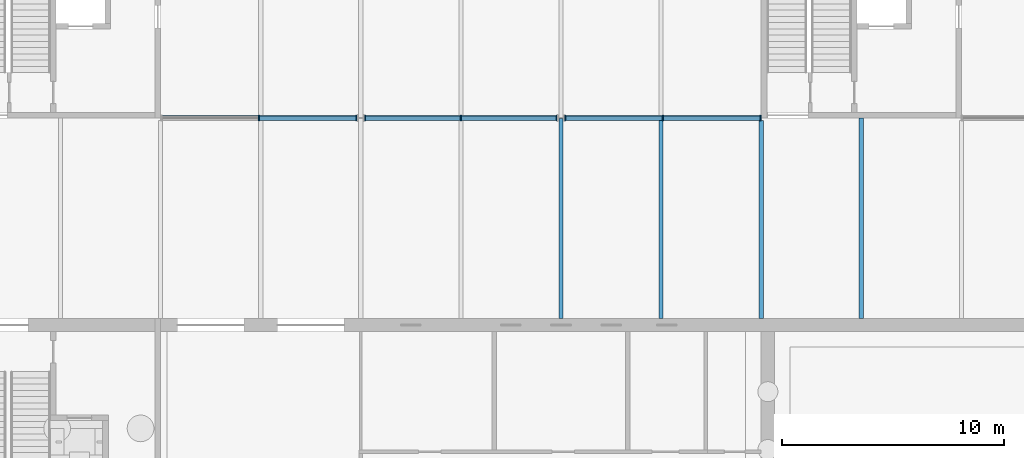
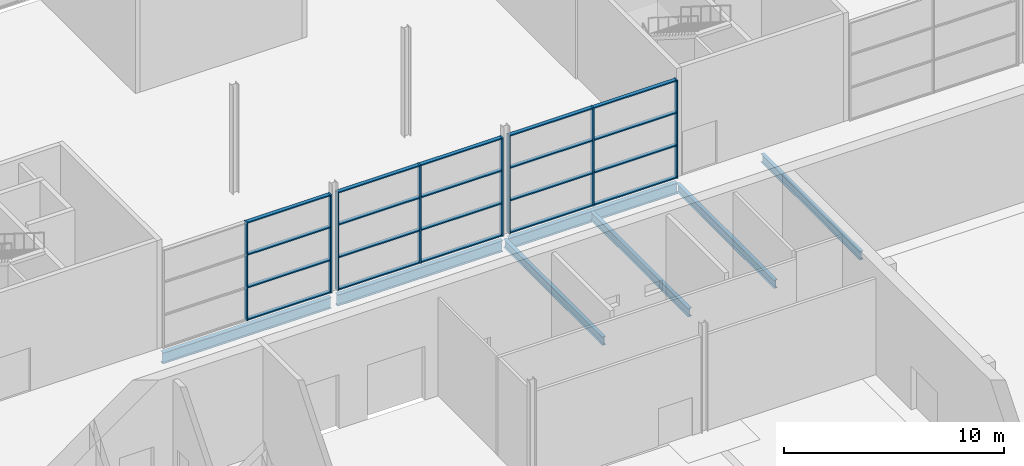
# One storey, part 45 of 97: 28 members, 7 beams, 3 elements without a shape of their own.
"""IFC4 building model written with IfcOpenShell, lengths in metres."""

from ifc_helpers import new_model, si_unit, direction, frame, origin, origin_2d, place, context, subcontext, project, spatial, rectangle, i_section, extrude, material, layer, layer_set, material_profile, profile_set, type_object, element, aggregate, save


model = new_model("IFC4")

# Units and contexts
model_context = context("Model", 3, precision=1e-05, world=origin(), true_north=direction((0.0, 1.0)))
body_context = subcontext(model_context, "Body", "Model", "MODEL_VIEW")
ifc_project = project(units=[si_unit("LENGTHUNIT", "METRE"), si_unit("AREAUNIT", "SQUARE_METRE"), si_unit("VOLUMEUNIT", "CUBIC_METRE"), si_unit("PLANEANGLEUNIT", "RADIAN"), si_unit("MASSUNIT", "GRAM", prefix="KILO")], contexts=[model_context])

# Site, building, storey
site_placement = place(None, origin())
site = spatial("IfcSite", under=ifc_project, at=site_placement, CompositionType="ELEMENT")
building_placement = place(site_placement, origin())
building = spatial("IfcBuilding", under=site, at=building_placement, Name="Corbel Yard City Hall", CompositionType="ELEMENT")
storey_placement = place(building_placement, origin())
storey = spatial("IfcBuildingStorey", under=building, at=storey_placement, Name="L00", CompositionType="ELEMENT", Elevation=0.0)

# Beams
ifc_material_1 = material(Name="Steel Grade 300 (300 MPa yield)", Category="steel")
ifc_material_profile_1 = material_profile(ifc_material_1, i_section(OverallWidth=0.19091796875, OverallDepth=0.4599609375, WebThickness=0.010009765625, FlangeThickness=0.01611328125, at=origin_2d()), Name="460UB82.1")
ifc_profile_set_1 = profile_set([ifc_material_profile_1], Name="Steel Grade 300 (300 MPa yield)")
beam_type_1 = type_object("IfcBeamType", Name="Beam 460UB82.1", PredefinedType="BEAM", material=ifc_profile_set_1)
beam_1_placement = place(storey_placement, frame((108.0, 81.0, -0.47998046875), z_axis=(0.0, 1.0, 0.0), x_axis=(-1.0, 0.0, 0.0)))
element("IfcBeam", 1, at=beam_1_placement, inside=storey, type_object=beam_type_1, Name="Beam 460UB82.1 SB2 L00deck", PredefinedType="BEAM", context=body_context, shape_type="SweptSolid", body=[
    extrude(i_section(OverallWidth=0.19091796875, OverallDepth=0.4599609375, WebThickness=0.010009765625, FlangeThickness=0.01611328125, at=origin_2d()), origin(), (0.0, 0.0, 1.0), 8.9921875),
])
beam_2_placement = place(storey_placement, frame((117.0, 81.0, -0.47998046875), z_axis=(0.0, 1.0, 0.0), x_axis=(-1.0, 0.0, 0.0)))
element("IfcBeam", 2, at=beam_2_placement, inside=storey, type_object=beam_type_1, Name="Beam 460UB82.1 SB2 L00deck", PredefinedType="BEAM", context=body_context, shape_type="SweptSolid", body=[
    extrude(i_section(OverallWidth=0.19091796875, OverallDepth=0.4599609375, WebThickness=0.010009765625, FlangeThickness=0.01611328125, at=origin_2d()), origin(), (0.0, 0.0, 1.0), 8.885498046875),
])
ifc_material_profile_2 = material_profile(ifc_material_1, i_section(OverallWidth=0.22900390625, OverallDepth=0.612060546875, WebThickness=0.011962890625, FlangeThickness=0.01953125, at=origin_2d()), Name="610UB125")
ifc_profile_set_2 = profile_set([ifc_material_profile_2], Name="Steel Grade 300 (300 MPa yield)")
beam_type_2 = type_object("IfcBeamType", Name="Girder 610UB125", PredefinedType="BEAM", material=ifc_profile_set_2)
beam_3_placement = place(storey_placement, frame((90.0, 90.0, -0.555908203125), z_axis=(1.0, 0.0, 0.0), x_axis=(0.0, 1.0, 0.0)))
element("IfcBeam", 3, at=beam_3_placement, inside=storey, type_object=beam_type_2, Name="Girder 610UB125 GB1 L00deck", PredefinedType="BEAM", context=body_context, shape_type="SweptSolid", body=[
    extrude(i_section(OverallWidth=0.22900390625, OverallDepth=0.612060546875, WebThickness=0.011962890625, FlangeThickness=0.01953125, at=origin_2d()), origin(), (0.0, 0.0, 1.0), 8.83642578125),
])
beam_4_placement = place(storey_placement, frame((99.16357421875, 90.0, -0.555908203125), z_axis=(1.0, 0.0, 0.0), x_axis=(0.0, 1.0, 0.0)))
element("IfcBeam", 4, at=beam_4_placement, inside=storey, type_object=beam_type_2, Name="Girder 610UB125 GB1 L00deck", PredefinedType="BEAM", context=body_context, shape_type="SweptSolid", body=[
    extrude(i_section(OverallWidth=0.22900390625, OverallDepth=0.612060546875, WebThickness=0.011962890625, FlangeThickness=0.01953125, at=origin_2d()), origin(), (0.0, 0.0, 1.0), 8.6728515625),
])
beam_5_placement = place(storey_placement, frame((108.16357421875, 90.0, -0.555908203125), z_axis=(1.0, 0.0, 0.0), x_axis=(0.0, 1.0, 0.0)))
element("IfcBeam", 5, at=beam_5_placement, inside=storey, type_object=beam_type_2, Name="Girder 610UB125 GB1 L00deck", PredefinedType="BEAM", context=body_context, shape_type="SweptSolid", body=[
    extrude(i_section(OverallWidth=0.22900390625, OverallDepth=0.612060546875, WebThickness=0.011962890625, FlangeThickness=0.01953125, at=origin_2d()), origin(), (0.0, 0.0, 1.0), 8.83642578125),
])

# Curtain wall, members
ifc_material_2 = material(Name="Aluminium extrusion", Category="aluminium")
ifc_layer = layer(ifc_material_2, 0.25)
ifc_layer_set = layer_set([ifc_layer], Name="Aluminium extrusion")
curtain_wall_type = type_object("IfcCurtainWallType", Name="CW4", PredefinedType="USERDEFINED", material=ifc_layer_set)
curtain_wall_1_placement = place(storey_placement, origin())
curtain_wall_1 = element("IfcCurtainWall", 6, at=curtain_wall_1_placement, inside=storey, type_object=curtain_wall_type, Name="Curtain wall CW4 L00", ObjectType="CURTAIN WALL", PredefinedType="USERDEFINED")
ifc_material_profile_3 = material_profile(ifc_material_2, rectangle(XDim=0.25, YDim=0.06494140625, at=origin_2d()), Name="250x65")
ifc_profile_set_3 = profile_set([ifc_material_profile_3], Name="Aluminium extrusion")
member_type_1 = type_object("IfcMemberType", Name="ML4", PredefinedType="MULLION", material=ifc_profile_set_3)
member_1_placement = place(storey_placement, frame((94.421142578125, 90.0, 0.0), z_axis=(0.0, 0.0, 1.0), x_axis=(0.0, 1.0, 0.0)))
member_1 = element("IfcMember", 7, at=member_1_placement, type_object=member_type_1, Name="CW4 mullion 2", PredefinedType="MULLION", context=body_context, shape_type="SweptSolid", body=[
    extrude(rectangle(XDim=0.25, YDim=0.06494140625, at=origin_2d()), origin(), (0.0, 0.0, 1.0), 5.444091796875),
])
member_2_placement = place(storey_placement, frame((98.81005859375, 90.0, 0.0), z_axis=(0.0, 0.0, 1.0), x_axis=(0.0, 1.0, 0.0)))
member_2 = element("IfcMember", 8, at=member_2_placement, type_object=member_type_1, Name="CW4 mullion 3", PredefinedType="MULLION", context=body_context, shape_type="SweptSolid", body=[
    extrude(rectangle(XDim=0.25, YDim=0.06494140625, at=origin_2d()), origin(), (0.0, 0.0, 1.0), 5.444091796875),
])

curtain_wall_2_placement = place(storey_placement, origin())
curtain_wall_2 = element("IfcCurtainWall", 9, at=curtain_wall_2_placement, inside=storey, type_object=curtain_wall_type, Name="Curtain wall CW4 L00", ObjectType="CURTAIN WALL", PredefinedType="USERDEFINED")
member_3_placement = place(storey_placement, frame((99.18994140625, 90.0, 0.0), z_axis=(0.0, 0.0, 1.0), x_axis=(0.0, 1.0, 0.0)))
member_3 = element("IfcMember", 10, at=member_3_placement, type_object=member_type_1, Name="CW4 mullion 1", PredefinedType="MULLION", context=body_context, shape_type="SweptSolid", body=[
    extrude(rectangle(XDim=0.25, YDim=0.06494140625, at=origin_2d()), origin(), (0.0, 0.0, 1.0), 5.444091796875),
])
member_4_placement = place(storey_placement, frame((103.5, 90.0, 0.0), z_axis=(0.0, 0.0, 1.0), x_axis=(0.0, 1.0, 0.0)))
member_4 = element("IfcMember", 11, at=member_4_placement, type_object=member_type_1, Name="CW4 mullion 2", PredefinedType="MULLION", context=body_context, shape_type="SweptSolid", body=[
    extrude(rectangle(XDim=0.25, YDim=0.06494140625, at=origin_2d()), origin(), (0.0, 0.0, 1.0), 5.444091796875),
])
member_5_placement = place(storey_placement, frame((107.81005859375, 90.0, 0.0), z_axis=(0.0, 0.0, 1.0), x_axis=(0.0, 1.0, 0.0)))
member_5 = element("IfcMember", 12, at=member_5_placement, type_object=member_type_1, Name="CW4 mullion 3", PredefinedType="MULLION", context=body_context, shape_type="SweptSolid", body=[
    extrude(rectangle(XDim=0.25, YDim=0.06494140625, at=origin_2d()), origin(), (0.0, 0.0, 1.0), 5.444091796875),
])

curtain_wall_3_placement = place(storey_placement, origin())
curtain_wall_3 = element("IfcCurtainWall", 13, at=curtain_wall_3_placement, inside=storey, type_object=curtain_wall_type, Name="Curtain wall CW4 L00", ObjectType="CURTAIN WALL", PredefinedType="USERDEFINED")
member_6_placement = place(storey_placement, frame((108.18994140625, 90.0, 0.0), z_axis=(0.0, 0.0, 1.0), x_axis=(0.0, 1.0, 0.0)))
member_6 = element("IfcMember", 14, at=member_6_placement, type_object=member_type_1, Name="CW4 mullion 1", PredefinedType="MULLION", context=body_context, shape_type="SweptSolid", body=[
    extrude(rectangle(XDim=0.25, YDim=0.06494140625, at=origin_2d()), origin(), (0.0, 0.0, 1.0), 5.444091796875),
])
member_7_placement = place(storey_placement, frame((112.578857421875, 90.0, 0.0), z_axis=(0.0, 0.0, 1.0), x_axis=(0.0, 1.0, 0.0)))
member_7 = element("IfcMember", 15, at=member_7_placement, type_object=member_type_1, Name="CW4 mullion 2", PredefinedType="MULLION", context=body_context, shape_type="SweptSolid", body=[
    extrude(rectangle(XDim=0.25, YDim=0.06494140625, at=origin_2d()), origin(), (0.0, 0.0, 1.0), 5.444091796875),
])
member_8_placement = place(storey_placement, frame((116.967529296875, 90.0, 0.0), z_axis=(0.0, 0.0, 1.0), x_axis=(0.0, 1.0, 0.0)))
member_8 = element("IfcMember", 16, at=member_8_placement, type_object=member_type_1, Name="CW4 mullion 3", PredefinedType="MULLION", context=body_context, shape_type="SweptSolid", body=[
    extrude(rectangle(XDim=0.25, YDim=0.06494140625, at=origin_2d()), origin(), (0.0, 0.0, 1.0), 5.444091796875),
])

# Beams
ifc_material_profile_4 = material_profile(ifc_material_1, i_section(OverallWidth=0.19091796875, OverallDepth=0.4599609375, WebThickness=0.010009765625, FlangeThickness=0.01611328125, at=origin_2d()), Name="460UB82.1")
ifc_profile_set_4 = profile_set([ifc_material_profile_4], Name="Steel Grade 300 (300 MPa yield)")
beam_type_3 = type_object("IfcBeamType", Name="Secondary beam 460UB82.1", PredefinedType="JOIST", material=ifc_profile_set_4)
beam_6_placement = place(storey_placement, frame((112.5, 81.0, -0.47998046875), z_axis=(0.0, 1.0, 0.0), x_axis=(-1.0, 0.0, 0.0)))
element("IfcBeam", 17, at=beam_6_placement, inside=storey, type_object=beam_type_3, Name="Secondary beam 460UB82.1 SB1 L00deck", PredefinedType="JOIST", context=body_context, shape_type="SweptSolid", body=[
    extrude(i_section(OverallWidth=0.19091796875, OverallDepth=0.4599609375, WebThickness=0.010009765625, FlangeThickness=0.01611328125, at=origin_2d()), origin(), (0.0, 0.0, 1.0), 8.885498046875),
])
beam_7_placement = place(storey_placement, frame((121.5, 81.0, -0.47998046875), z_axis=(0.0, 1.0, 0.0), x_axis=(-1.0, 0.0, 0.0)))
element("IfcBeam", 18, at=beam_7_placement, inside=storey, type_object=beam_type_3, Name="Secondary beam 460UB82.1 SB1 L00deck", PredefinedType="JOIST", context=body_context, shape_type="SweptSolid", body=[
    extrude(i_section(OverallWidth=0.19091796875, OverallDepth=0.4599609375, WebThickness=0.010009765625, FlangeThickness=0.01611328125, at=origin_2d()), origin(), (0.0, 0.0, 1.0), 9.0),
])

# Member
ifc_material_profile_5 = material_profile(ifc_material_2, rectangle(XDim=0.199951171875, YDim=0.06494140625, at=origin_2d()), Name="200x65")
ifc_profile_set_5 = profile_set([ifc_material_profile_5], Name="Aluminium extrusion")
member_type_2 = type_object("IfcMemberType", Name="TR4", PredefinedType="USERDEFINED", material=ifc_profile_set_5)
member_9_placement = place(storey_placement, frame((94.453857421875, 90.0, 0.032470703125), z_axis=(1.0, 0.0, 0.0), x_axis=(0.0, 1.0, 0.0)))
member_9 = element("IfcMember", 19, at=member_9_placement, type_object=member_type_2, Name="CW4 transom 2.1", ObjectType="TRANSOM", PredefinedType="USERDEFINED", context=body_context, shape_type="SweptSolid", body=[
    extrude(rectangle(XDim=0.199951171875, YDim=0.06494140625, at=origin_2d()), origin(), (0.0, 0.0, 1.0), 4.32373046875),
])

member_10_placement = place(storey_placement, frame((94.453857421875, 90.0, 1.814697265625), z_axis=(1.0, 0.0, 0.0), x_axis=(0.0, 1.0, 0.0)))
member_10 = element("IfcMember", 20, at=member_10_placement, type_object=member_type_2, Name="CW4 transom 2.2", ObjectType="TRANSOM", PredefinedType="USERDEFINED", context=body_context, shape_type="SweptSolid", body=[
    extrude(rectangle(XDim=0.199951171875, YDim=0.06494140625, at=origin_2d()), origin(), (0.0, 0.0, 1.0), 4.32373046875),
])

member_11_placement = place(storey_placement, frame((94.453857421875, 90.0, 3.62939453125), z_axis=(1.0, 0.0, 0.0), x_axis=(0.0, 1.0, 0.0)))
member_11 = element("IfcMember", 21, at=member_11_placement, type_object=member_type_2, Name="CW4 transom 2.3", ObjectType="TRANSOM", PredefinedType="USERDEFINED", context=body_context, shape_type="SweptSolid", body=[
    extrude(rectangle(XDim=0.199951171875, YDim=0.06494140625, at=origin_2d()), origin(), (0.0, 0.0, 1.0), 4.32373046875),
])

member_12_placement = place(storey_placement, frame((94.453857421875, 90.0, 5.41162109375), z_axis=(1.0, 0.0, 0.0), x_axis=(0.0, 1.0, 0.0)))
member_12 = element("IfcMember", 22, at=member_12_placement, type_object=member_type_2, Name="CW4 transom 2.4", ObjectType="TRANSOM", PredefinedType="USERDEFINED", context=body_context, shape_type="SweptSolid", body=[
    extrude(rectangle(XDim=0.199951171875, YDim=0.06494140625, at=origin_2d()), origin(), (0.0, 0.0, 1.0), 4.32373046875),
])

aggregate(curtain_wall_1, [member_1, member_2, member_9, member_10, member_11, member_12])

member_13_placement = place(storey_placement, frame((99.222412109375, 90.0, 0.032470703125), z_axis=(1.0, 0.0, 0.0), x_axis=(0.0, 1.0, 0.0)))
member_13 = element("IfcMember", 23, at=member_13_placement, type_object=member_type_2, Name="CW4 transom 1.1", ObjectType="TRANSOM", PredefinedType="USERDEFINED", context=body_context, shape_type="SweptSolid", body=[
    extrude(rectangle(XDim=0.199951171875, YDim=0.06494140625, at=origin_2d()), origin(), (0.0, 0.0, 1.0), 4.2451171875),
])

member_14_placement = place(storey_placement, frame((99.222412109375, 90.0, 1.814697265625), z_axis=(1.0, 0.0, 0.0), x_axis=(0.0, 1.0, 0.0)))
member_14 = element("IfcMember", 24, at=member_14_placement, type_object=member_type_2, Name="CW4 transom 1.2", ObjectType="TRANSOM", PredefinedType="USERDEFINED", context=body_context, shape_type="SweptSolid", body=[
    extrude(rectangle(XDim=0.199951171875, YDim=0.06494140625, at=origin_2d()), origin(), (0.0, 0.0, 1.0), 4.2451171875),
])

member_15_placement = place(storey_placement, frame((99.222412109375, 90.0, 3.62939453125), z_axis=(1.0, 0.0, 0.0), x_axis=(0.0, 1.0, 0.0)))
member_15 = element("IfcMember", 25, at=member_15_placement, type_object=member_type_2, Name="CW4 transom 1.3", ObjectType="TRANSOM", PredefinedType="USERDEFINED", context=body_context, shape_type="SweptSolid", body=[
    extrude(rectangle(XDim=0.199951171875, YDim=0.06494140625, at=origin_2d()), origin(), (0.0, 0.0, 1.0), 4.2451171875),
])

member_16_placement = place(storey_placement, frame((99.222412109375, 90.0, 5.41162109375), z_axis=(1.0, 0.0, 0.0), x_axis=(0.0, 1.0, 0.0)))
member_16 = element("IfcMember", 26, at=member_16_placement, type_object=member_type_2, Name="CW4 transom 1.4", ObjectType="TRANSOM", PredefinedType="USERDEFINED", context=body_context, shape_type="SweptSolid", body=[
    extrude(rectangle(XDim=0.199951171875, YDim=0.06494140625, at=origin_2d()), origin(), (0.0, 0.0, 1.0), 4.2451171875),
])

member_17_placement = place(storey_placement, frame((103.532470703125, 90.0, 0.032470703125), z_axis=(1.0, 0.0, 0.0), x_axis=(0.0, 1.0, 0.0)))
member_17 = element("IfcMember", 27, at=member_17_placement, type_object=member_type_2, Name="CW4 transom 2.1", ObjectType="TRANSOM", PredefinedType="USERDEFINED", context=body_context, shape_type="SweptSolid", body=[
    extrude(rectangle(XDim=0.199951171875, YDim=0.06494140625, at=origin_2d()), origin(), (0.0, 0.0, 1.0), 4.2451171875),
])

member_18_placement = place(storey_placement, frame((103.532470703125, 90.0, 1.814697265625), z_axis=(1.0, 0.0, 0.0), x_axis=(0.0, 1.0, 0.0)))
member_18 = element("IfcMember", 28, at=member_18_placement, type_object=member_type_2, Name="CW4 transom 2.2", ObjectType="TRANSOM", PredefinedType="USERDEFINED", context=body_context, shape_type="SweptSolid", body=[
    extrude(rectangle(XDim=0.199951171875, YDim=0.06494140625, at=origin_2d()), origin(), (0.0, 0.0, 1.0), 4.2451171875),
])

member_19_placement = place(storey_placement, frame((103.532470703125, 90.0, 3.62939453125), z_axis=(1.0, 0.0, 0.0), x_axis=(0.0, 1.0, 0.0)))
member_19 = element("IfcMember", 29, at=member_19_placement, type_object=member_type_2, Name="CW4 transom 2.3", ObjectType="TRANSOM", PredefinedType="USERDEFINED", context=body_context, shape_type="SweptSolid", body=[
    extrude(rectangle(XDim=0.199951171875, YDim=0.06494140625, at=origin_2d()), origin(), (0.0, 0.0, 1.0), 4.2451171875),
])

member_20_placement = place(storey_placement, frame((103.532470703125, 90.0, 5.41162109375), z_axis=(1.0, 0.0, 0.0), x_axis=(0.0, 1.0, 0.0)))
member_20 = element("IfcMember", 30, at=member_20_placement, type_object=member_type_2, Name="CW4 transom 2.4", ObjectType="TRANSOM", PredefinedType="USERDEFINED", context=body_context, shape_type="SweptSolid", body=[
    extrude(rectangle(XDim=0.199951171875, YDim=0.06494140625, at=origin_2d()), origin(), (0.0, 0.0, 1.0), 4.2451171875),
])

aggregate(curtain_wall_2, [member_3, member_4, member_5, member_13, member_14, member_15, member_16, member_17, member_18, member_19, member_20])

member_21_placement = place(storey_placement, frame((108.222412109375, 90.0, 0.032470703125), z_axis=(1.0, 0.0, 0.0), x_axis=(0.0, 1.0, 0.0)))
member_21 = element("IfcMember", 31, at=member_21_placement, type_object=member_type_2, Name="CW4 transom 1.1", ObjectType="TRANSOM", PredefinedType="USERDEFINED", context=body_context, shape_type="SweptSolid", body=[
    extrude(rectangle(XDim=0.199951171875, YDim=0.06494140625, at=origin_2d()), origin(), (0.0, 0.0, 1.0), 4.32373046875),
])

member_22_placement = place(storey_placement, frame((108.222412109375, 90.0, 1.814697265625), z_axis=(1.0, 0.0, 0.0), x_axis=(0.0, 1.0, 0.0)))
member_22 = element("IfcMember", 32, at=member_22_placement, type_object=member_type_2, Name="CW4 transom 1.2", ObjectType="TRANSOM", PredefinedType="USERDEFINED", context=body_context, shape_type="SweptSolid", body=[
    extrude(rectangle(XDim=0.199951171875, YDim=0.06494140625, at=origin_2d()), origin(), (0.0, 0.0, 1.0), 4.32373046875),
])

member_23_placement = place(storey_placement, frame((108.222412109375, 90.0, 3.62939453125), z_axis=(1.0, 0.0, 0.0), x_axis=(0.0, 1.0, 0.0)))
member_23 = element("IfcMember", 33, at=member_23_placement, type_object=member_type_2, Name="CW4 transom 1.3", ObjectType="TRANSOM", PredefinedType="USERDEFINED", context=body_context, shape_type="SweptSolid", body=[
    extrude(rectangle(XDim=0.199951171875, YDim=0.06494140625, at=origin_2d()), origin(), (0.0, 0.0, 1.0), 4.32373046875),
])

member_24_placement = place(storey_placement, frame((108.222412109375, 90.0, 5.41162109375), z_axis=(1.0, 0.0, 0.0), x_axis=(0.0, 1.0, 0.0)))
member_24 = element("IfcMember", 34, at=member_24_placement, type_object=member_type_2, Name="CW4 transom 1.4", ObjectType="TRANSOM", PredefinedType="USERDEFINED", context=body_context, shape_type="SweptSolid", body=[
    extrude(rectangle(XDim=0.199951171875, YDim=0.06494140625, at=origin_2d()), origin(), (0.0, 0.0, 1.0), 4.32373046875),
])

member_25_placement = place(storey_placement, frame((112.611328125, 90.0, 0.032470703125), z_axis=(1.0, 0.0, 0.0), x_axis=(0.0, 1.0, 0.0)))
member_25 = element("IfcMember", 35, at=member_25_placement, type_object=member_type_2, Name="CW4 transom 2.1", ObjectType="TRANSOM", PredefinedType="USERDEFINED", context=body_context, shape_type="SweptSolid", body=[
    extrude(rectangle(XDim=0.199951171875, YDim=0.06494140625, at=origin_2d()), origin(), (0.0, 0.0, 1.0), 4.32373046875),
])

member_26_placement = place(storey_placement, frame((112.611328125, 90.0, 1.814697265625), z_axis=(1.0, 0.0, 0.0), x_axis=(0.0, 1.0, 0.0)))
member_26 = element("IfcMember", 36, at=member_26_placement, type_object=member_type_2, Name="CW4 transom 2.2", ObjectType="TRANSOM", PredefinedType="USERDEFINED", context=body_context, shape_type="SweptSolid", body=[
    extrude(rectangle(XDim=0.199951171875, YDim=0.06494140625, at=origin_2d()), origin(), (0.0, 0.0, 1.0), 4.32373046875),
])

member_27_placement = place(storey_placement, frame((112.611328125, 90.0, 3.62939453125), z_axis=(1.0, 0.0, 0.0), x_axis=(0.0, 1.0, 0.0)))
member_27 = element("IfcMember", 37, at=member_27_placement, type_object=member_type_2, Name="CW4 transom 2.3", ObjectType="TRANSOM", PredefinedType="USERDEFINED", context=body_context, shape_type="SweptSolid", body=[
    extrude(rectangle(XDim=0.199951171875, YDim=0.06494140625, at=origin_2d()), origin(), (0.0, 0.0, 1.0), 4.32373046875),
])

member_28_placement = place(storey_placement, frame((112.611328125, 90.0, 5.41162109375), z_axis=(1.0, 0.0, 0.0), x_axis=(0.0, 1.0, 0.0)))
member_28 = element("IfcMember", 38, at=member_28_placement, type_object=member_type_2, Name="CW4 transom 2.4", ObjectType="TRANSOM", PredefinedType="USERDEFINED", context=body_context, shape_type="SweptSolid", body=[
    extrude(rectangle(XDim=0.199951171875, YDim=0.06494140625, at=origin_2d()), origin(), (0.0, 0.0, 1.0), 4.32373046875),
])

aggregate(curtain_wall_3, [member_6, member_7, member_8, member_21, member_22, member_23, member_24, member_25, member_26, member_27, member_28])

save(model, "model.ifc")
